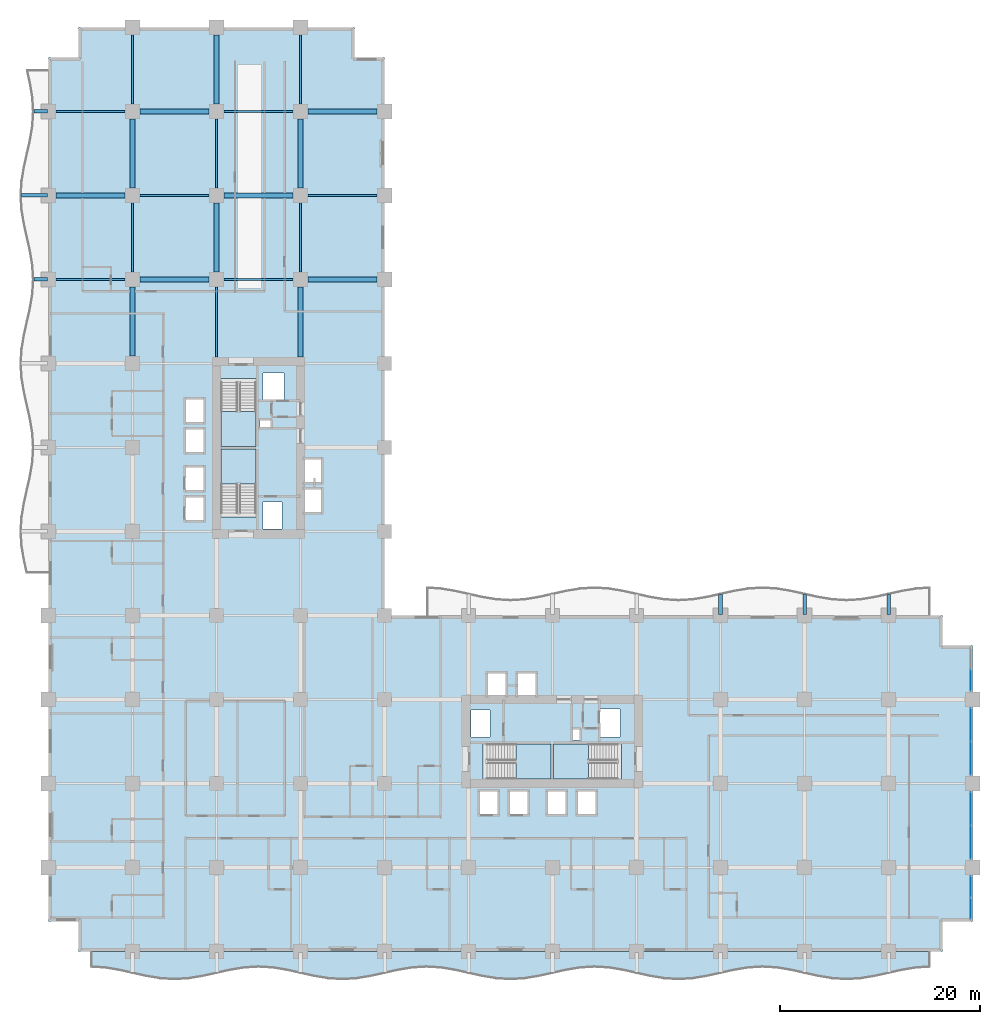
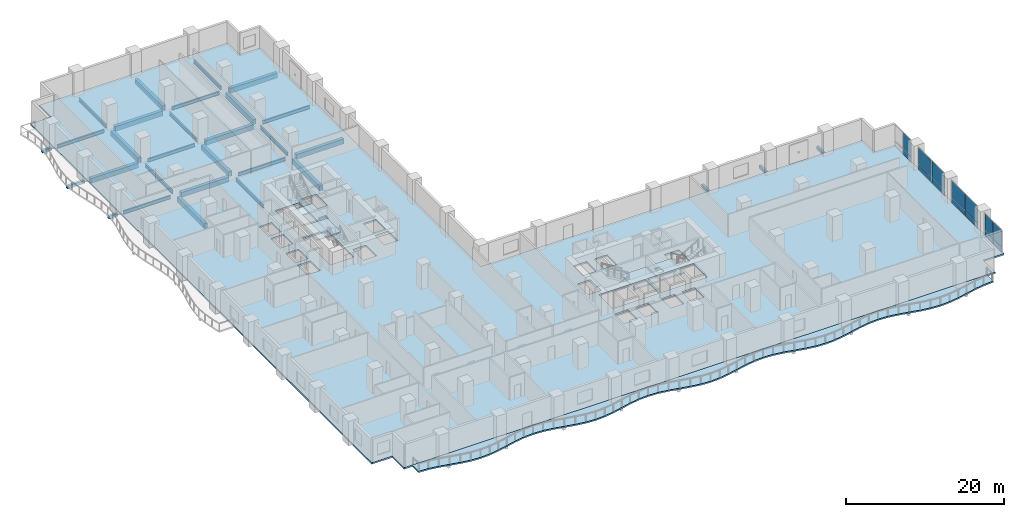
# One storey, part 8 of 27: 30 beams, 14 plates, 6 slabs, 8 elements without a shape of their own.
"""IFC4 building model written with IfcOpenShell, lengths in metres."""

from ifc_helpers import new_model, si_unit, direction, frame, origin, origin_2d, place, context, subcontext, project, spatial, polyline, rectangle, i_section, outline, extrude, material, layer, layer_set, material_profile, profile_set, type_object, element, aggregate, save


model = new_model("IFC4")

# Units and contexts
model_context = context("Model", 3, precision=1e-05, world=origin(), true_north=direction((0.0, 1.0)))
body_context = subcontext(model_context, "Body", "Model", "MODEL_VIEW")
ifc_project = project(units=[si_unit("LENGTHUNIT", "METRE"), si_unit("AREAUNIT", "SQUARE_METRE"), si_unit("VOLUMEUNIT", "CUBIC_METRE"), si_unit("PLANEANGLEUNIT", "RADIAN"), si_unit("MASSUNIT", "GRAM", prefix="KILO")], contexts=[model_context])

# Site, building, storey
site_placement = place(None, origin())
site = spatial("IfcSite", under=ifc_project, at=site_placement, CompositionType="ELEMENT")
building_placement = place(site_placement, origin())
building = spatial("IfcBuilding", under=site, at=building_placement, Name="Koriwani Terraces Tower", CompositionType="ELEMENT")
storey_placement = place(building_placement, frame((0.0, 0.0, 70.0)))
storey = spatial("IfcBuildingStorey", under=building, at=storey_placement, Name="L16", CompositionType="ELEMENT", Elevation=70.0)

# Beams
ifc_material_1 = material(Name="Concrete C40/50", Category="concrete")
ifc_material_profile_1 = material_profile(ifc_material_1, rectangle(XDim=0.35009765625, YDim=0.449951171875, at=origin_2d()), Name="Concrete C40/50", Category="LoadBearing")
ifc_profile_set_1 = profile_set([ifc_material_profile_1], Name="Concrete C40/50")
beam_type_1 = type_object("IfcBeamType", Name="BEAM_RC_BALCONY_RIB_350X450", PredefinedType="JOIST", material=ifc_profile_set_1)
beam_1_placement = place(storey_placement, frame((-1.449951171875, 67.199951171875, -0.47509765625), z_axis=(1.0, 0.0, 0.0), x_axis=(0.0, 1.0, 0.0)))
element("IfcBeam", 1, at=beam_1_placement, inside=storey, type_object=beam_type_1, Name="L16 Balcony Bracket Rib W-4", PredefinedType="JOIST", context=body_context, shape_type="SweptSolid", body=[
    extrude(rectangle(XDim=0.35009765625, YDim=0.449951171875, at=origin_2d()), origin(), (0.0, 0.0, 1.0), 1.349853515625),
])
beam_2_placement = place(storey_placement, frame((-2.699951171875, 75.60009765625, -0.47509765625), z_axis=(1.0, 0.0, 0.0), x_axis=(0.0, 1.0, 0.0)))
element("IfcBeam", 2, at=beam_2_placement, inside=storey, type_object=beam_type_1, Name="L16 Balcony Bracket Rib W-5", PredefinedType="JOIST", context=body_context, shape_type="SweptSolid", body=[
    extrude(rectangle(XDim=0.35009765625, YDim=0.449951171875, at=origin_2d()), origin(), (0.0, 0.0, 1.0), 2.599853515625),
])
beam_3_placement = place(storey_placement, frame((-1.449951171875, 84.0, -0.47509765625), z_axis=(1.0, 0.0, 0.0), x_axis=(0.0, 1.0, 0.0)))
element("IfcBeam", 3, at=beam_3_placement, inside=storey, type_object=beam_type_1, Name="L16 Balcony Bracket Rib W-6", PredefinedType="JOIST", context=body_context, shape_type="SweptSolid", body=[
    extrude(rectangle(XDim=0.35009765625, YDim=0.449951171875, at=origin_2d()), origin(), (0.0, 0.0, 1.0), 1.349853515625),
])
for number, where, z_axis, x_axis, name in (
    (4, (67.199951171875, 33.699951171875, -0.47509765625), (0.0, 1.0, 0.0), (-1.0, 0.0, 0.0), "L16 Balcony Bracket Rib NE-4"),
    (5, (75.60009765625, 33.699951171875, -0.47509765625), (0.0, 1.0, 0.0), (-1.0, 0.0, 0.0), "L16 Balcony Bracket Rib NE-5"),
    (6, (84.0, 33.699951171875, -0.47509765625), (0.0, 1.0, 0.0), (-1.0, 0.0, 0.0), "L16 Balcony Bracket Rib NE-6"),
):
    element("IfcBeam", number, at=place(storey_placement, frame(where, z_axis=z_axis, x_axis=x_axis)), inside=storey, type_object=beam_type_1, Name=name, PredefinedType="JOIST", context=body_context, shape_type="SweptSolid", body=[
        extrude(rectangle(XDim=0.35009765625, YDim=0.449951171875, at=origin_2d()), origin(), (0.0, 0.0, 1.0), 1.97509765625),
    ])
ifc_material_2 = material(Name="Concrete C50/60", Category="concrete")
ifc_material_profile_2 = material_profile(ifc_material_2, rectangle(XDim=0.5, YDim=0.75, at=origin_2d()), Name="Concrete C50/60", Category="LoadBearing")
ifc_profile_set_2 = profile_set([ifc_material_profile_2], Name="Concrete C50/60")
beam_type_2 = type_object("IfcBeamType", Name="BEAM_RC_GRID_500X750", PredefinedType="BEAM", material=ifc_profile_set_2)
for number, where, z_axis, x_axis, name in (
    (7, (9.1298828125, 67.199951171875, -0.625), (1.0, 0.0, 0.0), (0.0, 1.0, 0.0), "L16 Grid Beam I (8.4-16.8m)"),
    (8, (25.929931640625, 67.199951171875, -0.625), (1.0, 0.0, 0.0), (0.0, 1.0, 0.0), "L16 Grid Beam I (25.2-33.6m)"),
):
    element("IfcBeam", number, at=place(storey_placement, frame(where, z_axis=z_axis, x_axis=x_axis)), inside=storey, type_object=beam_type_2, Name=name, PredefinedType="BEAM", context=body_context, shape_type="SweptSolid", body=[
        extrude(rectangle(XDim=0.5, YDim=0.75, at=origin_2d()), origin(), (0.0, 0.0, 1.0), 6.940185546875),
    ])
for number, where, z_axis, x_axis, name in (
    (9, (0.72998046875, 75.60009765625, -0.625), (1.0, 0.0, 0.0), (0.0, 1.0, 0.0), "L16 Grid Beam J (0.0-8.4m)"),
    (10, (17.530029296875, 75.60009765625, -0.625), (1.0, 0.0, 0.0), (0.0, 1.0, 0.0), "L16 Grid Beam J (16.8-25.2m)"),
):
    element("IfcBeam", number, at=place(storey_placement, frame(where, z_axis=z_axis, x_axis=x_axis)), inside=storey, type_object=beam_type_2, Name=name, PredefinedType="BEAM", context=body_context, shape_type="SweptSolid", body=[
        extrude(rectangle(XDim=0.5, YDim=0.75, at=origin_2d()), origin(), (0.0, 0.0, 1.0), 6.93994140625),
    ])
for number, where, z_axis, x_axis, name in (
    (11, (9.1298828125, 84.0, -0.625), (1.0, 0.0, 0.0), (0.0, 1.0, 0.0), "L16 Grid Beam K (8.4-16.8m)"),
    (12, (25.929931640625, 84.0, -0.625), (1.0, 0.0, 0.0), (0.0, 1.0, 0.0), "L16 Grid Beam K (25.2-33.6m)"),
):
    element("IfcBeam", number, at=place(storey_placement, frame(where, z_axis=z_axis, x_axis=x_axis)), inside=storey, type_object=beam_type_2, Name=name, PredefinedType="BEAM", context=body_context, shape_type="SweptSolid", body=[
        extrude(rectangle(XDim=0.5, YDim=0.75, at=origin_2d()), origin(), (0.0, 0.0, 1.0), 6.940185546875),
    ])
for number, where, z_axis, x_axis, name in (
    (13, (8.39990234375, 59.530029296875, -0.625), (0.0, 1.0, 0.0), (-1.0, 0.0, 0.0), "L16 Grid Beam 2 (58.8-67.2m)"),
    (14, (8.39990234375, 76.330078125, -0.625), (0.0, 1.0, 0.0), (-1.0, 0.0, 0.0), "L16 Grid Beam 2 (75.6-84.0m)"),
):
    element("IfcBeam", number, at=place(storey_placement, frame(where, z_axis=z_axis, x_axis=x_axis)), inside=storey, type_object=beam_type_2, Name=name, PredefinedType="BEAM", context=body_context, shape_type="SweptSolid", body=[
        extrude(rectangle(XDim=0.5, YDim=0.75, at=origin_2d()), origin(), (0.0, 0.0, 1.0), 6.93994140625),
    ])
beam_4_placement = place(storey_placement, frame((16.800048828125, 67.929931640625, -0.625), z_axis=(0.0, 1.0, 0.0), x_axis=(-1.0, 0.0, 0.0)))
element("IfcBeam", 15, at=beam_4_placement, inside=storey, type_object=beam_type_2, Name="L16 Grid Beam 3 (67.2-75.6m)", PredefinedType="BEAM", context=body_context, shape_type="SweptSolid", body=[
    extrude(rectangle(XDim=0.5, YDim=0.75, at=origin_2d()), origin(), (0.0, 0.0, 1.0), 6.940185546875),
])
beam_5_placement = place(storey_placement, frame((16.800048828125, 84.72998046875, -0.625), z_axis=(0.0, 1.0, 0.0), x_axis=(-1.0, 0.0, 0.0)))
element("IfcBeam", 16, at=beam_5_placement, inside=storey, type_object=beam_type_2, Name="L16 Grid Beam 3 (84.0-92.4m)", PredefinedType="BEAM", context=body_context, shape_type="SweptSolid", body=[
    extrude(rectangle(XDim=0.5, YDim=0.75, at=origin_2d()), origin(), (0.0, 0.0, 1.0), 6.93994140625),
])
beam_6_placement = place(storey_placement, frame((25.199951171875, 59.429931640625, -0.625), z_axis=(0.0, 1.0, 0.0), x_axis=(-1.0, 0.0, 0.0)))
element("IfcBeam", 17, at=beam_6_placement, inside=storey, type_object=beam_type_2, Name="L16 Grid Beam 4 (58.8-67.2m)", PredefinedType="BEAM", context=body_context, shape_type="SweptSolid", body=[
    extrude(rectangle(XDim=0.5, YDim=0.75, at=origin_2d()), origin(), (0.0, 0.0, 1.0), 7.0400390625),
])
beam_7_placement = place(storey_placement, frame((25.199951171875, 76.330078125, -0.625), z_axis=(0.0, 1.0, 0.0), x_axis=(-1.0, 0.0, 0.0)))
element("IfcBeam", 18, at=beam_7_placement, inside=storey, type_object=beam_type_2, Name="L16 Grid Beam 4 (75.6-84.0m)", PredefinedType="BEAM", context=body_context, shape_type="SweptSolid", body=[
    extrude(rectangle(XDim=0.5, YDim=0.75, at=origin_2d()), origin(), (0.0, 0.0, 1.0), 6.93994140625),
])
ifc_material_3 = material(Name="Steel ASTM A572 Grade 50", Category="steel")
ifc_material_profile_3 = material_profile(ifc_material_3, i_section(OverallWidth=0.2119140625, OverallDepth=0.54296875, WebThickness=0.0126953125, FlangeThickness=0.021240234375, at=origin_2d()), Name="Steel ASTM A572 Grade 50", Category="LoadBearing")
ifc_profile_set_3 = profile_set([ifc_material_profile_3], Name="Steel ASTM A572 Grade 50")
beam_type_3 = type_object("IfcBeamType", Name="STEEL_BEAM_W530X150", PredefinedType="BEAM", material=ifc_profile_set_3)
for number, where, z_axis, x_axis, name in (
    (19, (0.72998046875, 67.199951171875, -0.521484375), (1.0, 0.0, 0.0), (0.0, 1.0, 0.0), "L16 Grid Beam I (0.0-8.4m)"),
    (20, (17.530029296875, 67.199951171875, -0.521484375), (1.0, 0.0, 0.0), (0.0, 1.0, 0.0), "L16 Grid Beam I (16.8-25.2m)"),
):
    element("IfcBeam", number, at=place(storey_placement, frame(where, z_axis=z_axis, x_axis=x_axis)), inside=storey, type_object=beam_type_3, Name=name, PredefinedType="BEAM", context=body_context, shape_type="SweptSolid", body=[
        extrude(i_section(OverallWidth=0.2119140625, OverallDepth=0.54296875, WebThickness=0.0126953125, FlangeThickness=0.021240234375, at=origin_2d()), origin(), (0.0, 0.0, 1.0), 6.93994140625),
    ])
for number, where, z_axis, x_axis, name in (
    (21, (9.1298828125, 75.60009765625, -0.521484375), (1.0, 0.0, 0.0), (0.0, 1.0, 0.0), "L16 Grid Beam J (8.4-16.8m)"),
    (22, (25.929931640625, 75.60009765625, -0.521484375), (1.0, 0.0, 0.0), (0.0, 1.0, 0.0), "L16 Grid Beam J (25.2-33.6m)"),
):
    element("IfcBeam", number, at=place(storey_placement, frame(where, z_axis=z_axis, x_axis=x_axis)), inside=storey, type_object=beam_type_3, Name=name, PredefinedType="BEAM", context=body_context, shape_type="SweptSolid", body=[
        extrude(i_section(OverallWidth=0.2119140625, OverallDepth=0.54296875, WebThickness=0.0126953125, FlangeThickness=0.021240234375, at=origin_2d()), origin(), (0.0, 0.0, 1.0), 6.940185546875),
    ])
for number, where, z_axis, x_axis, name in (
    (23, (0.72998046875, 84.0, -0.521484375), (1.0, 0.0, 0.0), (0.0, 1.0, 0.0), "L16 Grid Beam K (0.0-8.4m)"),
    (24, (17.530029296875, 84.0, -0.521484375), (1.0, 0.0, 0.0), (0.0, 1.0, 0.0), "L16 Grid Beam K (16.8-25.2m)"),
):
    element("IfcBeam", number, at=place(storey_placement, frame(where, z_axis=z_axis, x_axis=x_axis)), inside=storey, type_object=beam_type_3, Name=name, PredefinedType="BEAM", context=body_context, shape_type="SweptSolid", body=[
        extrude(i_section(OverallWidth=0.2119140625, OverallDepth=0.54296875, WebThickness=0.0126953125, FlangeThickness=0.021240234375, at=origin_2d()), origin(), (0.0, 0.0, 1.0), 6.93994140625),
    ])
beam_8_placement = place(storey_placement, frame((8.39990234375, 67.929931640625, -0.521484375), z_axis=(0.0, 1.0, 0.0), x_axis=(-1.0, 0.0, 0.0)))
element("IfcBeam", 25, at=beam_8_placement, inside=storey, type_object=beam_type_3, Name="L16 Grid Beam 2 (67.2-75.6m)", PredefinedType="BEAM", context=body_context, shape_type="SweptSolid", body=[
    extrude(i_section(OverallWidth=0.2119140625, OverallDepth=0.54296875, WebThickness=0.0126953125, FlangeThickness=0.021240234375, at=origin_2d()), origin(), (0.0, 0.0, 1.0), 6.940185546875),
])
beam_9_placement = place(storey_placement, frame((8.39990234375, 84.72998046875, -0.521484375), z_axis=(0.0, 1.0, 0.0), x_axis=(-1.0, 0.0, 0.0)))
element("IfcBeam", 26, at=beam_9_placement, inside=storey, type_object=beam_type_3, Name="L16 Grid Beam 2 (84.0-92.4m)", PredefinedType="BEAM", context=body_context, shape_type="SweptSolid", body=[
    extrude(i_section(OverallWidth=0.2119140625, OverallDepth=0.54296875, WebThickness=0.0126953125, FlangeThickness=0.021240234375, at=origin_2d()), origin(), (0.0, 0.0, 1.0), 6.93994140625),
])
beam_10_placement = place(storey_placement, frame((16.800048828125, 59.429931640625, -0.521484375), z_axis=(0.0, 1.0, 0.0), x_axis=(-1.0, 0.0, 0.0)))
element("IfcBeam", 27, at=beam_10_placement, inside=storey, type_object=beam_type_3, Name="L16 Grid Beam 3 (58.8-67.2m)", PredefinedType="BEAM", context=body_context, shape_type="SweptSolid", body=[
    extrude(i_section(OverallWidth=0.2119140625, OverallDepth=0.54296875, WebThickness=0.0126953125, FlangeThickness=0.021240234375, at=origin_2d()), origin(), (0.0, 0.0, 1.0), 7.0400390625),
])
beam_11_placement = place(storey_placement, frame((16.800048828125, 76.330078125, -0.521484375), z_axis=(0.0, 1.0, 0.0), x_axis=(-1.0, 0.0, 0.0)))
element("IfcBeam", 28, at=beam_11_placement, inside=storey, type_object=beam_type_3, Name="L16 Grid Beam 3 (75.6-84.0m)", PredefinedType="BEAM", context=body_context, shape_type="SweptSolid", body=[
    extrude(i_section(OverallWidth=0.2119140625, OverallDepth=0.54296875, WebThickness=0.0126953125, FlangeThickness=0.021240234375, at=origin_2d()), origin(), (0.0, 0.0, 1.0), 6.93994140625),
])
beam_12_placement = place(storey_placement, frame((25.199951171875, 67.929931640625, -0.521484375), z_axis=(0.0, 1.0, 0.0), x_axis=(-1.0, 0.0, 0.0)))
element("IfcBeam", 29, at=beam_12_placement, inside=storey, type_object=beam_type_3, Name="L16 Grid Beam 4 (67.2-75.6m)", PredefinedType="BEAM", context=body_context, shape_type="SweptSolid", body=[
    extrude(i_section(OverallWidth=0.2119140625, OverallDepth=0.54296875, WebThickness=0.0126953125, FlangeThickness=0.021240234375, at=origin_2d()), origin(), (0.0, 0.0, 1.0), 6.940185546875),
])
beam_13_placement = place(storey_placement, frame((25.199951171875, 84.72998046875, -0.521484375), z_axis=(0.0, 1.0, 0.0), x_axis=(-1.0, 0.0, 0.0)))
element("IfcBeam", 30, at=beam_13_placement, inside=storey, type_object=beam_type_3, Name="L16 Grid Beam 4 (84.0-92.4m)", PredefinedType="BEAM", context=body_context, shape_type="SweptSolid", body=[
    extrude(i_section(OverallWidth=0.2119140625, OverallDepth=0.54296875, WebThickness=0.0126953125, FlangeThickness=0.021240234375, at=origin_2d()), origin(), (0.0, 0.0, 1.0), 6.93994140625),
])

# Curtain wall, plates
ifc_material_4 = material(Name="Anodised Bronze Aluminium", Category="aluminium")
ifc_layer_1 = layer(ifc_material_4, 0.179931640625, Name="Anodised Bronze Aluminium")
ifc_layer_set_1 = layer_set([ifc_layer_1], Name="Anodised Bronze Aluminium")
curtain_wall_type = type_object("IfcCurtainWallType", Name="CW_HOTEL_ZONE1", PredefinedType="NOTDEFINED", material=ifc_layer_set_1)
curtain_wall_1_placement = place(storey_placement, origin())
curtain_wall_1 = element("IfcCurtainWall", 31, at=curtain_wall_1_placement, inside=storey, type_object=curtain_wall_type, Name="L16 Unitised Curtain Wall (E_TIP) Bay 1", PredefinedType="NOTDEFINED")
ifc_material_5 = material(Name="Tempered Laminated Low-E Glass", Category="glass")
ifc_layer_2 = layer(ifc_material_5, 0.028076171875, Name="Tempered Laminated Low-E Glass")
ifc_layer_set_2 = layer_set([ifc_layer_2], Name="Tempered Laminated Low-E Glass")
plate_type = type_object("IfcPlateType", Name="CW_PANEL_VISION_28", PredefinedType="CURTAIN_PANEL", material=ifc_layer_set_2)
plate_1_placement = place(storey_placement, frame((92.22509765625, 27.132568359375, 0.06494140625), z_axis=(0.0, 0.0, 1.0), x_axis=(0.0, -1.0, 0.0)))
plate_1 = element("IfcPlate", 32, at=plate_1_placement, type_object=plate_type, Name="CW-Z1 panel 2.1", PredefinedType="CURTAIN_PANEL", context=body_context, shape_type="SweptSolid", body=[
    extrude(rectangle(XDim=2.094970703125, YDim=0.028076171875, at=origin_2d()), origin(), (0.0, 0.0, 1.0), 0.802490234375),
])
plate_2_placement = place(storey_placement, frame((92.22509765625, 27.132568359375, 0.9326171875), z_axis=(0.0, 0.0, 1.0), x_axis=(0.0, -1.0, 0.0)))
plate_2 = element("IfcPlate", 33, at=plate_2_placement, type_object=plate_type, Name="CW-Z1 panel 2.2", PredefinedType="CURTAIN_PANEL", context=body_context, shape_type="SweptSolid", body=[
    extrude(rectangle(XDim=2.094970703125, YDim=0.028076171875, at=origin_2d()), origin(), (0.0, 0.0, 1.0), 2.552490234375),
])
aggregate(curtain_wall_1, [plate_1, plate_2])

curtain_wall_2_placement = place(storey_placement, origin())
curtain_wall_2 = element("IfcCurtainWall", 34, at=curtain_wall_2_placement, inside=storey, type_object=curtain_wall_type, Name="L16 Unitised Curtain Wall (E_TIP) Bay 2", PredefinedType="NOTDEFINED")
plate_3_placement = place(storey_placement, frame((92.22509765625, 22.67626953125, 0.06494140625), z_axis=(0.0, 0.0, 1.0), x_axis=(0.0, -1.0, 0.0)))
plate_3 = element("IfcPlate", 35, at=plate_3_placement, type_object=plate_type, Name="CW-Z1 panel 1.1", PredefinedType="CURTAIN_PANEL", context=body_context, shape_type="SweptSolid", body=[
    extrude(rectangle(XDim=3.277587890625, YDim=0.028076171875, at=origin_2d()), origin(), (0.0, 0.0, 1.0), 0.802490234375),
])
plate_4_placement = place(storey_placement, frame((92.22509765625, 22.67626953125, 0.9326171875), z_axis=(0.0, 0.0, 1.0), x_axis=(0.0, -1.0, 0.0)))
plate_4 = element("IfcPlate", 36, at=plate_4_placement, type_object=plate_type, Name="CW-Z1 panel 1.2", PredefinedType="CURTAIN_PANEL", context=body_context, shape_type="SweptSolid", body=[
    extrude(rectangle(XDim=3.277587890625, YDim=0.028076171875, at=origin_2d()), origin(), (0.0, 0.0, 1.0), 2.552490234375),
])
plate_5_placement = place(storey_placement, frame((92.22509765625, 19.32373046875, 0.06494140625), z_axis=(0.0, 0.0, 1.0), x_axis=(0.0, -1.0, 0.0)))
plate_5 = element("IfcPlate", 37, at=plate_5_placement, type_object=plate_type, Name="CW-Z1 panel 2.1", PredefinedType="CURTAIN_PANEL", context=body_context, shape_type="SweptSolid", body=[
    extrude(rectangle(XDim=3.277587890625, YDim=0.028076171875, at=origin_2d()), origin(), (0.0, 0.0, 1.0), 0.802490234375),
])
plate_6_placement = place(storey_placement, frame((92.22509765625, 19.32373046875, 0.9326171875), z_axis=(0.0, 0.0, 1.0), x_axis=(0.0, -1.0, 0.0)))
plate_6 = element("IfcPlate", 38, at=plate_6_placement, type_object=plate_type, Name="CW-Z1 panel 2.2", PredefinedType="CURTAIN_PANEL", context=body_context, shape_type="SweptSolid", body=[
    extrude(rectangle(XDim=3.277587890625, YDim=0.028076171875, at=origin_2d()), origin(), (0.0, 0.0, 1.0), 2.552490234375),
])
aggregate(curtain_wall_2, [plate_3, plate_4, plate_5, plate_6])

curtain_wall_3_placement = place(storey_placement, origin())
curtain_wall_3 = element("IfcCurtainWall", 39, at=curtain_wall_3_placement, inside=storey, type_object=curtain_wall_type, Name="L16 Unitised Curtain Wall (E_TIP) Bay 3", PredefinedType="NOTDEFINED")
plate_7_placement = place(storey_placement, frame((92.22509765625, 14.2763671875, 0.06494140625), z_axis=(0.0, 0.0, 1.0), x_axis=(0.0, -1.0, 0.0)))
plate_7 = element("IfcPlate", 40, at=plate_7_placement, type_object=plate_type, Name="CW-Z1 panel 1.1", PredefinedType="CURTAIN_PANEL", context=body_context, shape_type="SweptSolid", body=[
    extrude(rectangle(XDim=3.277587890625, YDim=0.028076171875, at=origin_2d()), origin(), (0.0, 0.0, 1.0), 0.802490234375),
])
plate_8_placement = place(storey_placement, frame((92.22509765625, 14.2763671875, 0.9326171875), z_axis=(0.0, 0.0, 1.0), x_axis=(0.0, -1.0, 0.0)))
plate_8 = element("IfcPlate", 41, at=plate_8_placement, type_object=plate_type, Name="CW-Z1 panel 1.2", PredefinedType="CURTAIN_PANEL", context=body_context, shape_type="SweptSolid", body=[
    extrude(rectangle(XDim=3.277587890625, YDim=0.028076171875, at=origin_2d()), origin(), (0.0, 0.0, 1.0), 2.552490234375),
])
plate_9_placement = place(storey_placement, frame((92.22509765625, 10.923828125, 0.06494140625), z_axis=(0.0, 0.0, 1.0), x_axis=(0.0, -1.0, 0.0)))
plate_9 = element("IfcPlate", 42, at=plate_9_placement, type_object=plate_type, Name="CW-Z1 panel 2.1", PredefinedType="CURTAIN_PANEL", context=body_context, shape_type="SweptSolid", body=[
    extrude(rectangle(XDim=3.277587890625, YDim=0.028076171875, at=origin_2d()), origin(), (0.0, 0.0, 1.0), 0.802490234375),
])
plate_10_placement = place(storey_placement, frame((92.22509765625, 10.923828125, 0.9326171875), z_axis=(0.0, 0.0, 1.0), x_axis=(0.0, -1.0, 0.0)))
plate_10 = element("IfcPlate", 43, at=plate_10_placement, type_object=plate_type, Name="CW-Z1 panel 2.2", PredefinedType="CURTAIN_PANEL", context=body_context, shape_type="SweptSolid", body=[
    extrude(rectangle(XDim=3.277587890625, YDim=0.028076171875, at=origin_2d()), origin(), (0.0, 0.0, 1.0), 2.552490234375),
])
aggregate(curtain_wall_3, [plate_7, plate_8, plate_9, plate_10])

curtain_wall_4_placement = place(storey_placement, origin())
curtain_wall_4 = element("IfcCurtainWall", 44, at=curtain_wall_4_placement, inside=storey, type_object=curtain_wall_type, Name="L16 Unitised Curtain Wall (E_TIP) Bay 4", PredefinedType="NOTDEFINED")
plate_11_placement = place(storey_placement, frame((92.22509765625, 6.467529296875, 0.06494140625), z_axis=(0.0, 0.0, 1.0), x_axis=(0.0, -1.0, 0.0)))
plate_11 = element("IfcPlate", 45, at=plate_11_placement, type_object=plate_type, Name="CW-Z1 panel 1.1", PredefinedType="CURTAIN_PANEL", context=body_context, shape_type="SweptSolid", body=[
    extrude(rectangle(XDim=2.094970703125, YDim=0.028076171875, at=origin_2d()), origin(), (0.0, 0.0, 1.0), 0.802490234375),
])
plate_12_placement = place(storey_placement, frame((92.22509765625, 6.467529296875, 0.9326171875), z_axis=(0.0, 0.0, 1.0), x_axis=(0.0, -1.0, 0.0)))
plate_12 = element("IfcPlate", 46, at=plate_12_placement, type_object=plate_type, Name="CW-Z1 panel 1.2", PredefinedType="CURTAIN_PANEL", context=body_context, shape_type="SweptSolid", body=[
    extrude(rectangle(XDim=2.094970703125, YDim=0.028076171875, at=origin_2d()), origin(), (0.0, 0.0, 1.0), 2.552490234375),
])
plate_13_placement = place(storey_placement, frame((92.22509765625, 4.297607421875, 0.06494140625), z_axis=(0.0, 0.0, 1.0), x_axis=(0.0, -1.0, 0.0)))
plate_13 = element("IfcPlate", 47, at=plate_13_placement, type_object=plate_type, Name="CW-Z1 panel 2.1", PredefinedType="CURTAIN_PANEL", context=body_context, shape_type="SweptSolid", body=[
    extrude(rectangle(XDim=2.094970703125, YDim=0.028076171875, at=origin_2d()), origin(), (0.0, 0.0, 1.0), 0.802490234375),
])
plate_14_placement = place(storey_placement, frame((92.22509765625, 4.297607421875, 0.9326171875), z_axis=(0.0, 0.0, 1.0), x_axis=(0.0, -1.0, 0.0)))
plate_14 = element("IfcPlate", 48, at=plate_14_placement, type_object=plate_type, Name="CW-Z1 panel 2.2", PredefinedType="CURTAIN_PANEL", context=body_context, shape_type="SweptSolid", body=[
    extrude(rectangle(XDim=2.094970703125, YDim=0.028076171875, at=origin_2d()), origin(), (0.0, 0.0, 1.0), 2.552490234375),
])
aggregate(curtain_wall_4, [plate_11, plate_12, plate_13, plate_14])

# Slab
ifc_layer_3 = layer(ifc_material_1, 0.219970703125, Name="Concrete C40/50")
ifc_layer_set_3 = layer_set([ifc_layer_3], Name="Concrete C40/50")
slab_type_1 = type_object("IfcSlabType", Name="SLAB_BALCONY_220", PredefinedType="FLOOR", material=ifc_layer_set_3)
slab_1_placement = place(storey_placement, frame((0.0, 0.0, -0.219970703125)))
element("IfcSlab", 49, at=slab_1_placement, inside=storey, type_object=slab_type_1, Name="L16 Quilted Circular-Arc Balcony (S)", PredefinedType="FLOOR", context=body_context, shape_type="SweptSolid", body=[
    extrude(outline(polyline([(4.199951171875, 0.0), (5.60009765625, 0.0), (7.0, 0.0), (8.39990234375, 0.0), (9.800048828125, 0.0), (11.199951171875, 0.0), (12.60009765625, 0.0), (14.0, 0.0), (15.39990234375, 0.0), (16.800048828125, 0.0), (18.199951171875, 0.0), (19.60009765625, 0.0), (21.0, 0.0), (22.39990234375, 0.0), (23.800048828125, 0.0), (25.199951171875, 0.0), (26.60009765625, 0.0), (28.0, 0.0), (29.39990234375, 0.0), (30.800048828125, 0.0), (32.199951171875, 0.0), (33.60009765625, 0.0), (35.0, 0.0), (36.39990234375, 0.0), (37.800048828125, 0.0), (39.199951171875, 0.0), (40.60009765625, 0.0), (42.0, 0.0), (43.39990234375, 0.0), (44.800048828125, 0.0), (46.199951171875, 0.0), (47.60009765625, 0.0), (49.0, 0.0), (50.39990234375, 0.0), (51.800048828125, 0.0), (53.199951171875, 0.0), (54.60009765625, 0.0), (56.0, 0.0), (57.39990234375, 0.0), (58.800048828125, 0.0), (60.199951171875, 0.0), (61.60009765625, 0.0), (63.0, 0.0), (64.39990234375, 0.0), (65.800048828125, 0.0), (67.199951171875, 0.0), (68.60009765625, 0.0), (70.0, 0.0), (71.39990234375, 0.0), (72.800048828125, 0.0), (74.199951171875, 0.0), (75.60009765625, 0.0), (77.0, 0.0), (78.39990234375, 0.0), (79.800048828125, 0.0), (81.199951171875, 0.0), (82.60009765625, 0.0), (84.0, 0.0), (85.39990234375, 0.0), (86.800048828125, 0.0), (88.199951171875, 0.0), (88.199951171875, -1.60009765625), (86.800048828125, -1.68359375), (85.39990234375, -1.91259765625), (84.0, -2.22509765625), (82.60009765625, -2.53759765625), (81.199951171875, -2.766357421875), (79.800048828125, -2.85009765625), (78.39990234375, -2.766357421875), (77.0, -2.53759765625), (75.60009765625, -2.22509765625), (74.199951171875, -1.91259765625), (72.800048828125, -1.68359375), (71.39990234375, -1.60009765625), (70.0, -1.68359375), (68.60009765625, -1.91259765625), (67.199951171875, -2.22509765625), (65.800048828125, -2.53759765625), (64.39990234375, -2.766357421875), (63.0, -2.85009765625), (61.60009765625, -2.766357421875), (60.199951171875, -2.53759765625), (58.800048828125, -2.22509765625), (57.39990234375, -1.91259765625), (56.0, -1.68359375), (54.60009765625, -1.60009765625), (53.199951171875, -1.68359375), (51.800048828125, -1.91259765625), (50.39990234375, -2.22509765625), (49.0, -2.53759765625), (47.60009765625, -2.766357421875), (46.199951171875, -2.85009765625), (44.800048828125, -2.766357421875), (43.39990234375, -2.53759765625), (42.0, -2.22509765625), (40.60009765625, -1.91259765625), (39.199951171875, -1.68359375), (37.800048828125, -1.60009765625), (36.39990234375, -1.68359375), (35.0, -1.91259765625), (33.60009765625, -2.22509765625), (32.199951171875, -2.53759765625), (30.800048828125, -2.766357421875), (29.39990234375, -2.85009765625), (28.0, -2.766357421875), (26.60009765625, -2.53759765625), (25.199951171875, -2.22509765625), (23.800048828125, -1.91259765625), (22.39990234375, -1.68359375), (21.0, -1.60009765625), (19.60009765625, -1.68359375), (18.199951171875, -1.91259765625), (16.800048828125, -2.22509765625), (15.39990234375, -2.53759765625), (14.0, -2.766357421875), (12.60009765625, -2.85009765625), (11.199951171875, -2.766357421875), (9.800048828125, -2.53759765625), (8.39990234375, -2.22509765625), (7.0, -1.91259765625), (5.60009765625, -1.68359375), (4.199951171875, -1.60009765625), (4.199951171875, 0.0)])), origin(), (0.0, 0.0, 1.0), 0.219970703125),
])

# Stair, slab
stair_type = type_object("IfcStairType", Name="STAIR_CORE_DOGLEG_1650", PredefinedType="TWO_STRAIGHT_RUN_STAIR", material=ifc_material_1)
stair_1_placement = place(storey_placement, origin())
stair_1 = element("IfcStair", 50, at=stair_1_placement, inside=storey, type_object=stair_type, Name="L16 West Core Exit Stair 1", PredefinedType="HALF_TURN_STAIR")
ifc_layer_4 = layer(ifc_material_1, 0.199951171875, Name="Concrete C40/50")
ifc_layer_set_4 = layer_set([ifc_layer_4], Name="Concrete C40/50")
slab_type_2 = type_object("IfcSlabType", Name="SLAB_STAIR_LANDING_200", PredefinedType="LANDING", material=ifc_layer_set_4)
slab_2_placement = place(storey_placement, frame((0.0, 0.0, 1.699951171875)))
slab_2 = element("IfcSlab", 51, at=slab_2_placement, type_object=slab_type_2, Name="ST-W1 landing 1", PredefinedType="LANDING", context=body_context, shape_type="SweptSolid", body=[
    extrude(outline(polyline([(20.75, 46.75), (20.75, 50.25), (17.25, 50.25), (17.25, 46.75), (20.75, 46.75)])), origin(), (0.0, 0.0, 1.0), 0.199951171875),
])
aggregate(stair_1, [slab_2])

stair_2_placement = place(storey_placement, origin())
stair_2 = element("IfcStair", 52, at=stair_2_placement, inside=storey, type_object=stair_type, Name="L16 West Core Exit Stair 2", PredefinedType="HALF_TURN_STAIR")
slab_3_placement = place(storey_placement, frame((0.0, 0.0, 1.699951171875)))
slab_3 = element("IfcSlab", 53, at=slab_3_placement, type_object=slab_type_2, Name="ST-W2 landing 1", PredefinedType="LANDING", context=body_context, shape_type="SweptSolid", body=[
    extrude(outline(polyline([(17.25, 54.0), (17.25, 50.5), (20.75, 50.5), (20.75, 54.0), (17.25, 54.0)])), origin(), (0.0, 0.0, 1.0), 0.199951171875),
])
aggregate(stair_2, [slab_3])

stair_3_placement = place(storey_placement, origin())
stair_3 = element("IfcStair", 54, at=stair_3_placement, inside=storey, type_object=stair_type, Name="L16 East Core Exit Stair 1", PredefinedType="HALF_TURN_STAIR")
slab_4_placement = place(storey_placement, frame((0.0, 0.0, 1.699951171875)))
slab_4 = element("IfcSlab", 55, at=slab_4_placement, type_object=slab_type_2, Name="ST-E1 landing 1", PredefinedType="LANDING", context=body_context, shape_type="SweptSolid", body=[
    extrude(outline(polyline([(46.75, 17.25), (50.25, 17.25), (50.25, 20.75), (46.75, 20.75), (46.75, 17.25)])), origin(), (0.0, 0.0, 1.0), 0.199951171875),
])
aggregate(stair_3, [slab_4])

stair_4_placement = place(storey_placement, origin())
stair_4 = element("IfcStair", 56, at=stair_4_placement, inside=storey, type_object=stair_type, Name="L16 East Core Exit Stair 2", PredefinedType="HALF_TURN_STAIR")
slab_5_placement = place(storey_placement, frame((0.0, 0.0, 1.699951171875)))
slab_5 = element("IfcSlab", 57, at=slab_5_placement, type_object=slab_type_2, Name="ST-E2 landing 1", PredefinedType="LANDING", context=body_context, shape_type="SweptSolid", body=[
    extrude(outline(polyline([(54.0, 20.75), (50.5, 20.75), (50.5, 17.25), (54.0, 17.25), (54.0, 20.75)])), origin(), (0.0, 0.0, 1.0), 0.199951171875),
])
aggregate(stair_4, [slab_5])

# Slab
ifc_layer_5 = layer(ifc_material_1, 0.25, Name="Concrete C40/50")
ifc_layer_set_5 = layer_set([ifc_layer_5], Name="Concrete C40/50")
slab_type_3 = type_object("IfcSlabType", Name="SLAB_TOWER_TYP_250", PredefinedType="FLOOR", material=ifc_layer_set_5)
slab_6_placement = place(storey_placement, frame((0.0, 0.0, -0.25)))
element("IfcSlab", 58, at=slab_6_placement, inside=storey, type_object=slab_type_3, Name="L16 Structural Floor Slab", PredefinedType="FLOOR", context=body_context, shape_type="SweptSolid", body=[
    extrude(outline(polyline([(3.0, 0.0), (89.39990234375, 0.0), (89.39990234375, 3.0), (92.39990234375, 3.0), (92.39990234375, 30.60009765625), (89.39990234375, 30.60009765625), (89.39990234375, 33.60009765625), (33.60009765625, 33.60009765625), (33.60009765625, 89.39990234375), (30.60009765625, 89.39990234375), (30.60009765625, 92.39990234375), (3.0, 92.39990234375), (3.0, 89.39990234375), (0.0, 89.39990234375), (0.0, 3.0), (3.0, 3.0), (3.0, 0.0)]), holes=[polyline([(17.25, 43.4599609375), (20.75, 43.4599609375), (20.75, 50.25), (17.25, 50.25), (17.25, 43.4599609375)]), polyline([(17.25, 50.5), (20.75, 50.5), (20.75, 57.2900390625), (17.25, 57.2900390625), (17.25, 50.5)]), polyline([(43.4599609375, 17.25), (50.25, 17.25), (50.25, 20.75), (43.4599609375, 20.75), (43.4599609375, 17.25)]), polyline([(50.5, 17.25), (57.2900390625, 17.25), (57.2900390625, 20.75), (50.5, 20.75), (50.5, 17.25)]), polyline([(13.64990234375, 43.050048828125), (15.550048828125, 43.050048828125), (15.550048828125, 45.449951171875), (13.64990234375, 45.449951171875), (13.64990234375, 43.050048828125)]), polyline([(13.64990234375, 46.050048828125), (15.550048828125, 46.050048828125), (15.550048828125, 48.449951171875), (13.64990234375, 48.449951171875), (13.64990234375, 46.050048828125)]), polyline([(43.050048828125, 13.64990234375), (44.949951171875, 13.64990234375), (44.949951171875, 16.050048828125), (43.050048828125, 16.050048828125), (43.050048828125, 13.64990234375)]), polyline([(46.050048828125, 13.64990234375), (47.949951171875, 13.64990234375), (47.949951171875, 16.050048828125), (46.050048828125, 16.050048828125), (46.050048828125, 13.64990234375)]), polyline([(13.64990234375, 49.85009765625), (15.550048828125, 49.85009765625), (15.550048828125, 52.25), (13.64990234375, 52.25), (13.64990234375, 49.85009765625)]), polyline([(13.64990234375, 52.85009765625), (15.550048828125, 52.85009765625), (15.550048828125, 55.25), (13.64990234375, 55.25), (13.64990234375, 52.85009765625)]), polyline([(49.85009765625, 13.64990234375), (51.75, 13.64990234375), (51.75, 16.050048828125), (49.85009765625, 16.050048828125), (49.85009765625, 13.64990234375)]), polyline([(52.85009765625, 13.64990234375), (54.75, 13.64990234375), (54.75, 16.050048828125), (52.85009765625, 16.050048828125), (52.85009765625, 13.64990234375)]), polyline([(25.449951171875, 43.85009765625), (27.35009765625, 43.85009765625), (27.35009765625, 46.25), (25.449951171875, 46.25), (25.449951171875, 43.85009765625)]), polyline([(25.449951171875, 46.85009765625), (27.35009765625, 46.85009765625), (27.35009765625, 49.25), (25.449951171875, 49.25), (25.449951171875, 46.85009765625)]), polyline([(43.85009765625, 25.449951171875), (45.75, 25.449951171875), (45.75, 27.85009765625), (43.85009765625, 27.85009765625), (43.85009765625, 25.449951171875)]), polyline([(46.85009765625, 25.449951171875), (48.75, 25.449951171875), (48.75, 27.85009765625), (46.85009765625, 27.85009765625), (46.85009765625, 25.449951171875)]), polyline([(21.449951171875, 55.050048828125), (23.550048828125, 55.050048828125), (23.550048828125, 57.85009765625), (21.449951171875, 57.85009765625), (21.449951171875, 55.050048828125)]), polyline([(55.050048828125, 21.449951171875), (57.14990234375, 21.449951171875), (57.14990234375, 24.25), (55.050048828125, 24.25), (55.050048828125, 21.449951171875)]), polyline([(21.449951171875, 42.25), (23.35009765625, 42.25), (23.35009765625, 44.949951171875), (21.449951171875, 44.949951171875), (21.449951171875, 42.25)]), polyline([(42.25, 21.449951171875), (44.14990234375, 21.449951171875), (44.14990234375, 24.14990234375), (42.25, 24.14990234375), (42.25, 21.449951171875)]), polyline([(21.14990234375, 52.419921875), (22.219970703125, 52.419921875), (22.219970703125, 53.179931640625), (21.14990234375, 53.179931640625), (21.14990234375, 52.419921875)]), polyline([(52.419921875, 21.14990234375), (53.179931640625, 21.14990234375), (53.179931640625, 22.219970703125), (52.419921875, 22.219970703125), (52.419921875, 21.14990234375)])]), origin(), (0.0, 0.0, 1.0), 0.25),
])

save(model, "model.ifc")
